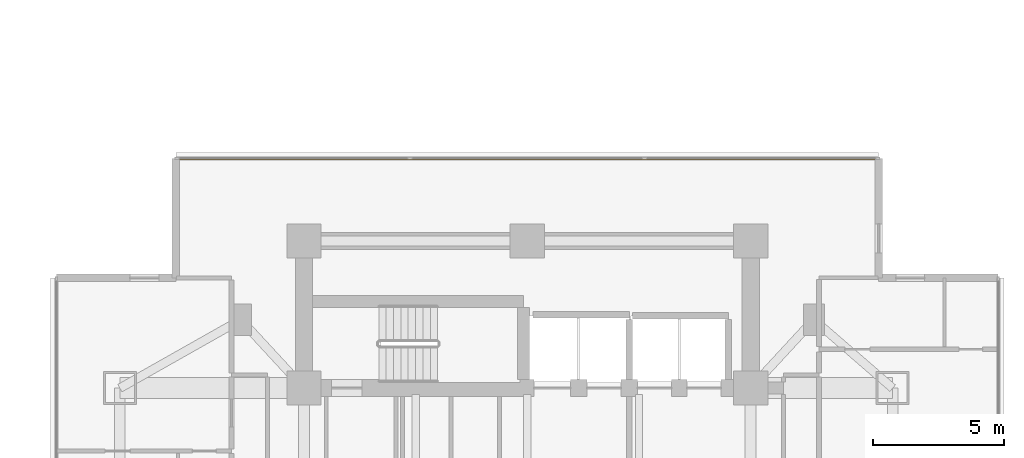
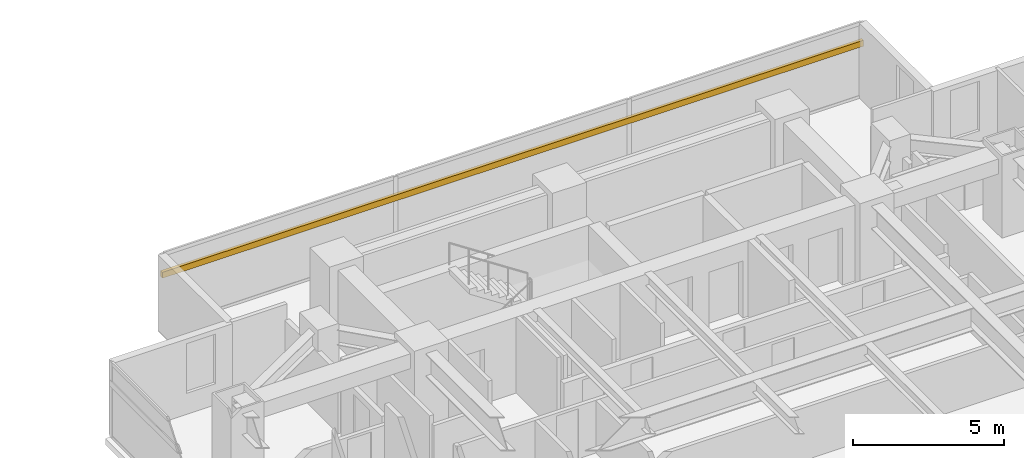
# One storey, part 25 of 25: 1 shading device.
"""IFC4 building model written with IfcOpenShell, lengths in metres."""

from ifc_helpers import new_model, si_unit, direction, frame, origin, origin_2d, place, context, subcontext, project, spatial, rectangle, extrude, material, material_profile, profile_set, type_object, element, save


model = new_model("IFC4")

# Units and contexts
model_context = context("Model", 3, precision=1e-05, world=origin(), true_north=direction((0.0, 1.0)))
body_context = subcontext(model_context, "Body", "Model", "MODEL_VIEW")
ifc_project = project(units=[si_unit("LENGTHUNIT", "METRE"), si_unit("AREAUNIT", "SQUARE_METRE"), si_unit("VOLUMEUNIT", "CUBIC_METRE"), si_unit("PLANEANGLEUNIT", "RADIAN"), si_unit("MASSUNIT", "GRAM", prefix="KILO")], contexts=[model_context])

# Site, building, storey
site_placement = place(None, origin())
site = spatial("IfcSite", under=ifc_project, at=site_placement, CompositionType="ELEMENT")
building_placement = place(site_placement, origin())
building = spatial("IfcBuilding", under=site, at=building_placement, Name="Mirazonda Arch Towers", CompositionType="ELEMENT")
storey_placement = place(building_placement, frame((0.0, 0.0, 58.699951171875)))
storey = spatial("IfcBuildingStorey", under=building, at=storey_placement, Name="L16", CompositionType="ELEMENT", Elevation=58.699951171875)

# Shading device
ifc_material = material(Name="Kiln-Fired Architectural Terracotta", Category="masonry")
ifc_material_profile = material_profile(ifc_material, rectangle(XDim=0.1201171875, YDim=0.239990234375, at=origin_2d()), Name="TERRA-BAG-120x240")
ifc_profile_set = profile_set([ifc_material_profile], Name="Kiln-Fired Architectural Terracotta")
shading_device_type = type_object("IfcShadingDeviceType", Name="BAGUETTE-1", PredefinedType="USERDEFINED", material=ifc_profile_set)
shading_device_placement = place(storey_placement, frame((63.1298828125, 43.942626953125, 2.18896484375), z_axis=(1.0, 0.0, 0.0), x_axis=(0.0, 1.0, 0.0)))
element("IfcShadingDevice", 1, at=shading_device_placement, inside=storey, type_object=shading_device_type, Name="L16 Glazed Terracotta Sun-Screen Baguette CW-L16-T2-N", ObjectType="BAGUETTE", PredefinedType="USERDEFINED", context=body_context, shape_type="SweptSolid", body=[
    extrude(rectangle(XDim=0.1201171875, YDim=0.239990234375, at=origin_2d()), origin(), (0.0, 0.0, 1.0), 26.740234375),
])

save(model, "model.ifc")
